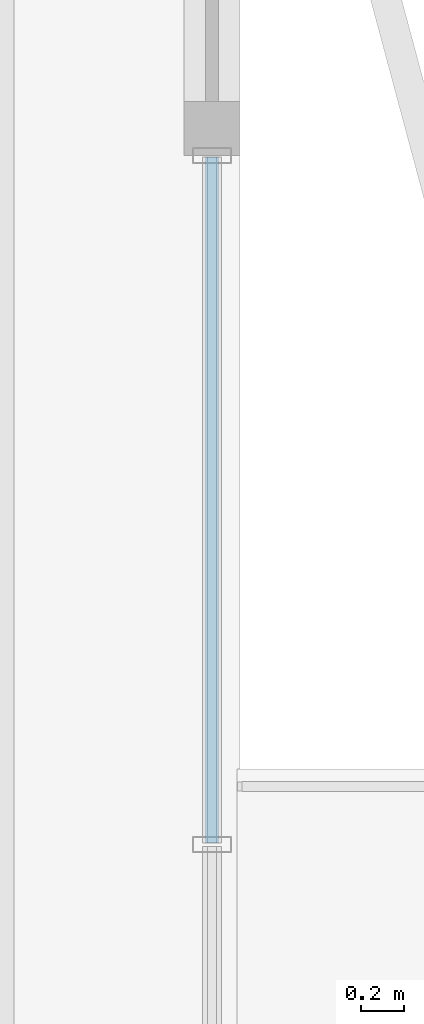
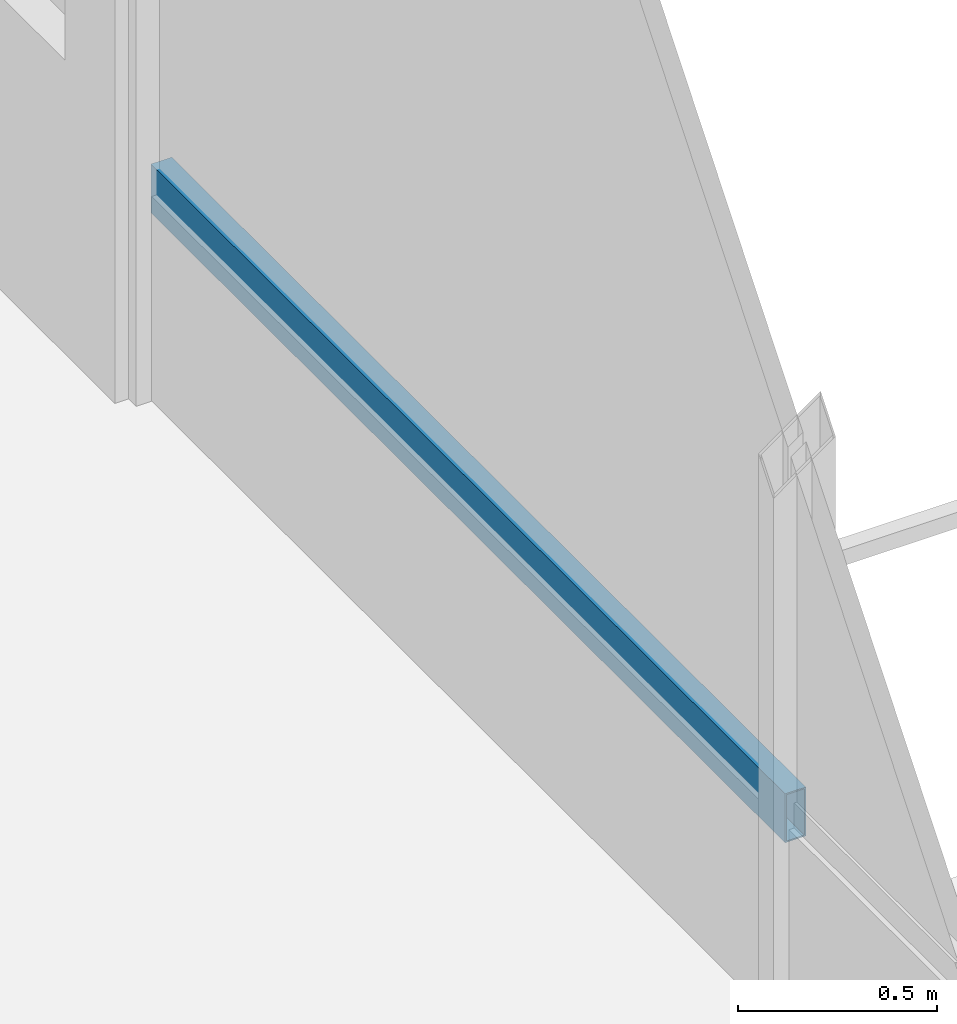
# One storey, part 11 of 25: 1 member, 1 element without a shape of its own.
"""IFC4 building model written with IfcOpenShell, lengths in metres."""

import ifcopenshell
import ifcopenshell.guid

model = None  # the IFC model being written
_history = None  # IfcOwnerHistory: only IFC2X3 demands one
_inside = {}  # id of a spatial element -> (the spatial element, [elements in it])
_under = {}  # id of a project, library or spatial element -> (it, [spatial elements below it])
_declared = {}  # id of a project -> (the project, [libraries it declares])
_typed = {}  # id of a type object -> (the type object, [elements of that type])
_made_of = {}  # id of a material, layer set ... -> (it, [elements and type objects made of it])


def new_model(schema):
    """Start an empty IFC model of exactly this schema.

    Asked for "IFC4X3", IfcOpenShell would pick the latest addendum, in which some entities
    have other attributes; the version numbers below select the first issue.
    IFC2X3 requires an IfcOwnerHistory on every rooted entity: one is made here for all.
    """
    global model, _history
    if schema == "IFC4X3":
        model = ifcopenshell.file(schema_version=(4, 3, 0, 0))
    else:
        model = ifcopenshell.file(schema=schema)
    _inside.clear()
    _under.clear()
    _declared.clear()
    _typed.clear()
    _made_of.clear()
    _history = None
    if model.schema == "IFC2X3":
        org = make("IfcOrganization", Name="unknown")
        user = make(
            "IfcPersonAndOrganization",
            ThePerson=make("IfcPerson", FamilyName="unknown"),
            TheOrganization=org,
        )
        app = make(
            "IfcApplication",
            ApplicationDeveloper=org,
            Version="unknown",
            ApplicationFullName="unknown",
            ApplicationIdentifier="unknown",
        )
        _history = make(
            "IfcOwnerHistory",
            OwningUser=user,
            OwningApplication=app,
            ChangeAction="ADDED",
            CreationDate=0,
        )
    return model


def make(cls, **values):
    """One entity of the class cls with the attributes given. An attribute that is None is left unset."""
    return model.create_entity(
        cls, **{name: value for name, value in values.items() if value is not None}
    )


def rooted(cls, **values):
    """An entity with a GlobalId (a new one), such as an element, a storey or a relation."""
    return make(cls, GlobalId=ifcopenshell.guid.new(), OwnerHistory=_history, **values)


def si_unit(unit_type, name, prefix=None):
    """IfcSIUnit, for example si_unit("LENGTHUNIT", "METRE", prefix="MILLI")."""
    return make("IfcSIUnit", UnitType=unit_type, Prefix=prefix, Name=name)


def assignment(units):
    """IfcUnitAssignment: the units of a project."""
    return None if units is None else make("IfcUnitAssignment", Units=units)


def point(xyz):
    """IfcCartesianPoint."""
    return None if xyz is None else make("IfcCartesianPoint", Coordinates=xyz)


def direction(xyz):
    """IfcDirection."""
    return None if xyz is None else make("IfcDirection", DirectionRatios=xyz)


def frame(location, z_axis=None, x_axis=None):
    """IfcAxis2Placement3D, a coordinate frame: its origin and axes. An axis left out is left unset."""
    return make(
        "IfcAxis2Placement3D",
        Location=point(location),
        Axis=direction(z_axis),
        RefDirection=direction(x_axis),
    )


def frame_2d(location, x_axis=None):
    """IfcAxis2Placement2D, a coordinate frame in the plane: its origin and x axis."""
    return make(
        "IfcAxis2Placement2D", Location=point(location), RefDirection=direction(x_axis)
    )


def origin():
    """The frame at (0, 0, 0) with its axes left unset."""
    return frame((0.0, 0.0, 0.0))


def origin_2d():
    """The frame at (0, 0) in the plane with its x axis left unset."""
    return frame_2d((0.0, 0.0))


def place(relative_to, where):
    """IfcLocalPlacement: puts the frame where relative to a parent placement (None: the world)."""
    return make(
        "IfcLocalPlacement", PlacementRelTo=relative_to, RelativePlacement=where
    )


def context(
    kind, dimensions, precision=None, world=None, true_north=None, identifier=None
):
    """IfcGeometricRepresentationContext, for example the 3D "Model" context."""
    return make(
        "IfcGeometricRepresentationContext",
        ContextIdentifier=identifier,
        ContextType=kind,
        CoordinateSpaceDimension=dimensions,
        Precision=precision,
        WorldCoordinateSystem=world,
        TrueNorth=true_north,
    )


def subcontext(parent, identifier, kind, view, scale=None):
    """IfcGeometricRepresentationSubContext, for example "Body" below "Model"."""
    return make(
        "IfcGeometricRepresentationSubContext",
        ContextIdentifier=identifier,
        ContextType=kind,
        ParentContext=parent,
        TargetScale=scale,
        TargetView=view,
    )


def project(units=None, contexts=None):
    """IfcProject with its units and contexts."""
    return rooted(
        "IfcProject",
        Name="project",
        RepresentationContexts=contexts,
        UnitsInContext=assignment(units),
    )


def spatial(cls, under=None, at=None, **own):
    """A site, building, storey or space (cls), placed at a placement, below another one or the project."""
    s = rooted(cls, ObjectPlacement=at, **own)
    if under is not None:
        _under.setdefault(under.id(), (under, []))[1].append(s)
    return s


def profile(cls, at=None, kind="AREA", **sizes):
    """A parametric profile (cls). Its sizes go by their IFC names, for example OverallWidth=200.0."""
    return make(cls, ProfileType=kind, Position=at, **sizes)


def hollow_rectangle(**sizes):
    """IfcRectangleHollowProfileDef."""
    return profile("IfcRectangleHollowProfileDef", **sizes)


def extrude(swept, where, along, depth):
    """IfcExtrudedAreaSolid: the profile swept, set in the frame where, extruded along a direction by depth."""
    return make(
        "IfcExtrudedAreaSolid",
        SweptArea=swept,
        Position=where,
        ExtrudedDirection=direction(along),
        Depth=depth,
    )


def shape(context_of_items, identifier, shape_type, items):
    """IfcShapeRepresentation: the items that make up one representation, for example the "Body"."""
    return make(
        "IfcShapeRepresentation",
        ContextOfItems=context_of_items,
        RepresentationIdentifier=identifier,
        RepresentationType=shape_type,
        Items=items,
    )


def material(Name=None, Category=None):
    """IfcMaterial."""
    return make("IfcMaterial", Name=Name, Category=Category)


def layer(
    of_material, thickness, ventilated=None, Name=None, Category=None, Priority=None
):
    """IfcMaterialLayer: one layer of a wall or slab, of a material (None: an air gap)."""
    return make(
        "IfcMaterialLayer",
        Material=of_material,
        LayerThickness=thickness,
        IsVentilated=ventilated,
        Name=Name,
        Category=Category,
        Priority=Priority,
    )


def layer_set(layers, Name=None):
    """IfcMaterialLayerSet."""
    return make("IfcMaterialLayerSet", MaterialLayers=layers, LayerSetName=Name)


def material_profile(
    of_material, cross_section, Name=None, Category=None, Priority=None
):
    """IfcMaterialProfile: a cross section and its material."""
    return make(
        "IfcMaterialProfile",
        Name=Name,
        Material=of_material,
        Profile=cross_section,
        Priority=Priority,
        Category=Category,
    )


def profile_set(profiles, Name=None, composite=None):
    """IfcMaterialProfileSet."""
    return make(
        "IfcMaterialProfileSet",
        Name=Name,
        MaterialProfiles=profiles,
        CompositeProfile=composite,
    )


def made_of(thing, what):
    """Note that an element or type object is made of a material, layer set ...; save() writes the relation."""
    if what is not None:
        _made_of.setdefault(what.id(), (what, []))[1].append(thing)
    return thing


def type_object(cls, material=None, **own):
    """A type object (cls), such as IfcWallType, which elements share."""
    return made_of(rooted(cls, **own), material)


def element(
    cls,
    number,
    at=None,
    inside=None,
    cuts=None,
    type_object=None,
    material=None,
    context=None,
    identifier="Body",
    shape_type=None,
    held_by="IfcProductDefinitionShape",
    body=None,
    shapes=None,
    **own,
):
    """One element of the class cls, such as IfcWall. Its Tag is "e" and its number.

    at: its placement. inside: the storey or other place that contains it. cuts: it is an
    opening in that element (IfcRelVoidsElement). A single representation is given by context,
    identifier, shape_type and body (its items); several are given by shapes. held_by: the class
    of the entity that holds the representations. save() writes the other relations.
    """
    e = rooted(cls, Tag="e%d" % number, ObjectPlacement=at, **own)
    if body is not None:
        shapes = [shape(context, identifier, shape_type, body)]
    if shapes is not None:
        e.Representation = make(held_by, Representations=shapes)
    if inside is not None:
        _inside.setdefault(inside.id(), (inside, []))[1].append(e)
    if cuts is not None:
        rooted(
            "IfcRelVoidsElement", RelatingBuildingElement=cuts, RelatedOpeningElement=e
        )
    if type_object is not None:
        _typed.setdefault(type_object.id(), (type_object, []))[1].append(e)
    return made_of(e, material)


def aggregate(whole, parts):
    """IfcRelAggregates: a whole, such as a stair, and the parts it consists of."""
    return rooted("IfcRelAggregates", RelatingObject=whole, RelatedObjects=parts)


def save(model, path):
    """Write the relations noted so far, then the file.

    IfcRelAggregates (storeys below a building ...), IfcRelContainedInSpatialStructure (elements
    in a storey), IfcRelDefinesByType, IfcRelAssociatesMaterial and IfcRelDeclares: one each for
    every whole, place, type object, material and project.
    """
    for whole, parts in _under.values():
        aggregate(whole, parts)
    for where, things in _inside.values():
        rooted(
            "IfcRelContainedInSpatialStructure",
            RelatedElements=things,
            RelatingStructure=where,
        )
    for kind, things in _typed.values():
        rooted("IfcRelDefinesByType", RelatedObjects=things, RelatingType=kind)
    for what, things in _made_of.values():
        rooted("IfcRelAssociatesMaterial", RelatedObjects=things, RelatingMaterial=what)
    for by, libraries in _declared.values():
        rooted("IfcRelDeclares", RelatingContext=by, RelatedDefinitions=libraries)
    model.write(path)


model = new_model("IFC4")

# Units and contexts
model_context = context("Model", 3, precision=1e-05, world=origin(), true_north=direction((0.0, 1.0)))
body_context = subcontext(model_context, "Body", "Model", "MODEL_VIEW")
ifc_project = project(units=[si_unit("LENGTHUNIT", "METRE"), si_unit("AREAUNIT", "SQUARE_METRE"), si_unit("VOLUMEUNIT", "CUBIC_METRE"), si_unit("PLANEANGLEUNIT", "RADIAN"), si_unit("MASSUNIT", "GRAM", prefix="KILO")], contexts=[model_context])

# Site, building, storey
site_placement = place(None, origin())
site = spatial("IfcSite", under=ifc_project, at=site_placement, CompositionType="ELEMENT")
building_placement = place(site_placement, origin())
building = spatial("IfcBuilding", under=site, at=building_placement, Name="Belovzor Exchange Tower", CompositionType="ELEMENT")
storey_placement = place(building_placement, frame((0.0, 0.0, 183.300048828125)))
storey = spatial("IfcBuildingStorey", under=building, at=storey_placement, Name="L45", CompositionType="ELEMENT", Elevation=183.300048828125)

# Curtain wall, member
ifc_material_1 = material(Name="Anodised Aluminium Framing", Category="aluminium")
ifc_layer = layer(ifc_material_1, 0.179931640625)
ifc_layer_set = layer_set([ifc_layer], Name="Anodised Aluminium Framing")
curtain_wall_type = type_object("IfcCurtainWallType", Name="Recessed Loggia Low-Iron Triple-Glazed Curtain Wall", PredefinedType="NOTDEFINED", material=ifc_layer_set)
curtain_wall_placement = place(storey_placement, origin())
curtain_wall = element("IfcCurtainWall", 1, at=curtain_wall_placement, inside=storey, type_object=curtain_wall_type, Name="CW3 Recessed Loggia Low-Iron Triple-Glazed Curtain Wall L45", PredefinedType="NOTDEFINED")
ifc_material_2 = material(Name="Steel S355", Category="steel")
ifc_material_profile = material_profile(ifc_material_2, hollow_rectangle(XDim=0.06005859375, YDim=0.14990234375, WallThickness=0.00390625, at=origin_2d()))
ifc_profile_set = profile_set([ifc_material_profile], Name="Steel S355")
member_type = type_object("IfcMemberType", Name="Thermally Broken Curtain Wall Transom 150x60", PredefinedType="USERDEFINED", material=ifc_profile_set)
member_placement = place(storey_placement, frame((52.969970703125, 33.592041015625, 0.62890625), z_axis=(0.0, -1.0, 0.0), x_axis=(1.0, 0.0, 0.0)))
member = element("IfcMember", 2, at=member_placement, type_object=member_type, Name="CW-T150 Curtain Wall Transom 1", ObjectType="TRANSOM", PredefinedType="USERDEFINED", context=body_context, shape_type="SweptSolid", body=[
    extrude(hollow_rectangle(XDim=0.06005859375, YDim=0.14990234375, WallThickness=0.00390625, at=origin_2d()), origin(), (0.0, 0.0, 1.0), 3.18408203125),
])
aggregate(curtain_wall, [member])

save(model, "model.ifc")
